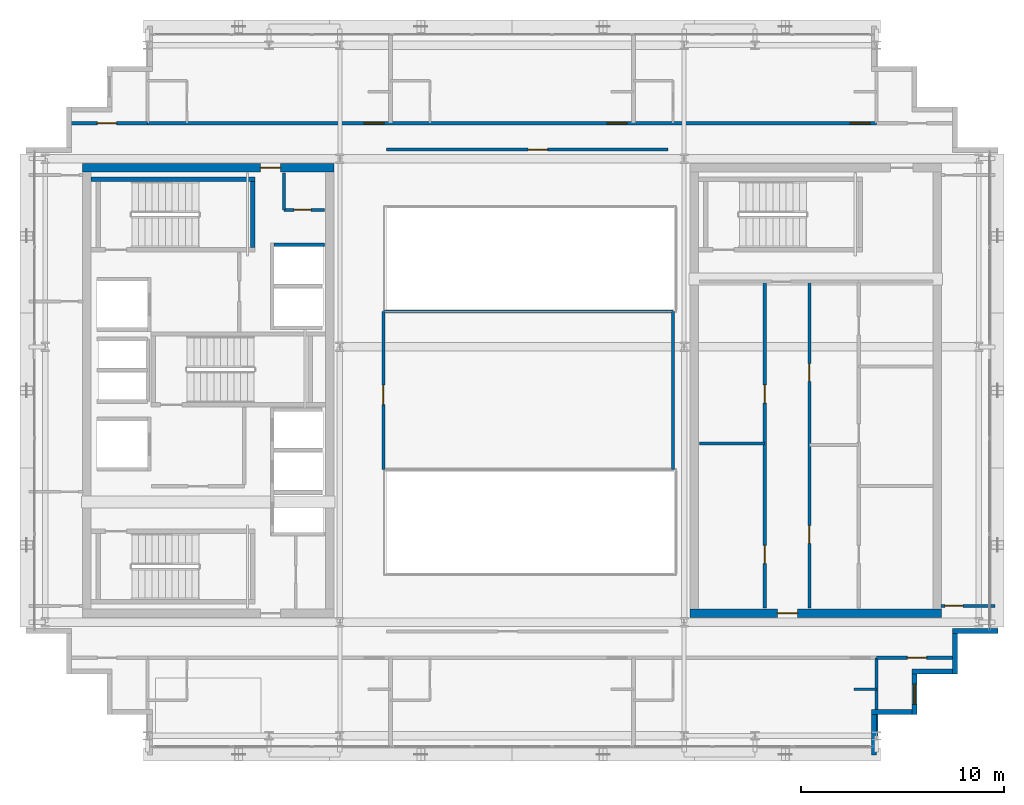
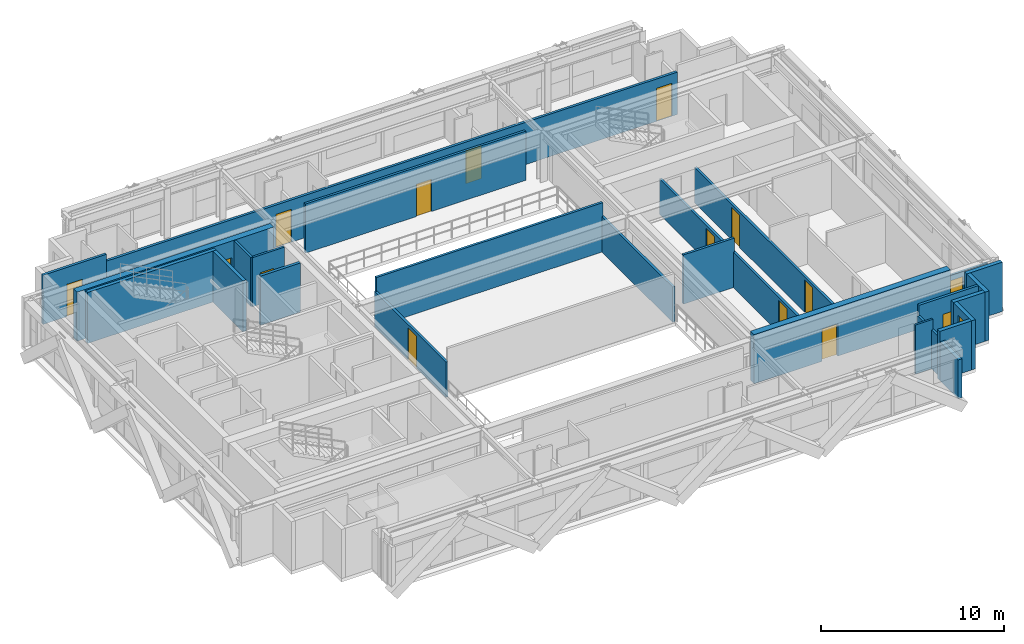
# One storey, part 22 of 28: 26 walls, 15 doors, 1 window, 16 openings.
"""IFC4 building model written with IfcOpenShell, lengths in metres."""

import ifcopenshell
import ifcopenshell.guid

model = None  # the IFC model being written
_history = None  # IfcOwnerHistory: only IFC2X3 demands one
_inside = {}  # id of a spatial element -> (the spatial element, [elements in it])
_under = {}  # id of a project, library or spatial element -> (it, [spatial elements below it])
_declared = {}  # id of a project -> (the project, [libraries it declares])
_typed = {}  # id of a type object -> (the type object, [elements of that type])
_made_of = {}  # id of a material, layer set ... -> (it, [elements and type objects made of it])


def new_model(schema):
    """Start an empty IFC model of exactly this schema.

    Asked for "IFC4X3", IfcOpenShell would pick the latest addendum, in which some entities
    have other attributes; the version numbers below select the first issue.
    IFC2X3 requires an IfcOwnerHistory on every rooted entity: one is made here for all.
    """
    global model, _history
    if schema == "IFC4X3":
        model = ifcopenshell.file(schema_version=(4, 3, 0, 0))
    else:
        model = ifcopenshell.file(schema=schema)
    _inside.clear()
    _under.clear()
    _declared.clear()
    _typed.clear()
    _made_of.clear()
    _history = None
    if model.schema == "IFC2X3":
        org = make("IfcOrganization", Name="unknown")
        user = make(
            "IfcPersonAndOrganization",
            ThePerson=make("IfcPerson", FamilyName="unknown"),
            TheOrganization=org,
        )
        app = make(
            "IfcApplication",
            ApplicationDeveloper=org,
            Version="unknown",
            ApplicationFullName="unknown",
            ApplicationIdentifier="unknown",
        )
        _history = make(
            "IfcOwnerHistory",
            OwningUser=user,
            OwningApplication=app,
            ChangeAction="ADDED",
            CreationDate=0,
        )
    return model


def make(cls, **values):
    """One entity of the class cls with the attributes given. An attribute that is None is left unset."""
    return model.create_entity(
        cls, **{name: value for name, value in values.items() if value is not None}
    )


def rooted(cls, **values):
    """An entity with a GlobalId (a new one), such as an element, a storey or a relation."""
    return make(cls, GlobalId=ifcopenshell.guid.new(), OwnerHistory=_history, **values)


def si_unit(unit_type, name, prefix=None):
    """IfcSIUnit, for example si_unit("LENGTHUNIT", "METRE", prefix="MILLI")."""
    return make("IfcSIUnit", UnitType=unit_type, Prefix=prefix, Name=name)


def assignment(units):
    """IfcUnitAssignment: the units of a project."""
    return None if units is None else make("IfcUnitAssignment", Units=units)


def point(xyz):
    """IfcCartesianPoint."""
    return None if xyz is None else make("IfcCartesianPoint", Coordinates=xyz)


def direction(xyz):
    """IfcDirection."""
    return None if xyz is None else make("IfcDirection", DirectionRatios=xyz)


def frame(location, z_axis=None, x_axis=None):
    """IfcAxis2Placement3D, a coordinate frame: its origin and axes. An axis left out is left unset."""
    return make(
        "IfcAxis2Placement3D",
        Location=point(location),
        Axis=direction(z_axis),
        RefDirection=direction(x_axis),
    )


def frame_2d(location, x_axis=None):
    """IfcAxis2Placement2D, a coordinate frame in the plane: its origin and x axis."""
    return make(
        "IfcAxis2Placement2D", Location=point(location), RefDirection=direction(x_axis)
    )


def origin():
    """The frame at (0, 0, 0) with its axes left unset."""
    return frame((0.0, 0.0, 0.0))


def place(relative_to, where):
    """IfcLocalPlacement: puts the frame where relative to a parent placement (None: the world)."""
    return make(
        "IfcLocalPlacement", PlacementRelTo=relative_to, RelativePlacement=where
    )


def context(
    kind, dimensions, precision=None, world=None, true_north=None, identifier=None
):
    """IfcGeometricRepresentationContext, for example the 3D "Model" context."""
    return make(
        "IfcGeometricRepresentationContext",
        ContextIdentifier=identifier,
        ContextType=kind,
        CoordinateSpaceDimension=dimensions,
        Precision=precision,
        WorldCoordinateSystem=world,
        TrueNorth=true_north,
    )


def subcontext(parent, identifier, kind, view, scale=None):
    """IfcGeometricRepresentationSubContext, for example "Body" below "Model"."""
    return make(
        "IfcGeometricRepresentationSubContext",
        ContextIdentifier=identifier,
        ContextType=kind,
        ParentContext=parent,
        TargetScale=scale,
        TargetView=view,
    )


def project(units=None, contexts=None):
    """IfcProject with its units and contexts."""
    return rooted(
        "IfcProject",
        Name="project",
        RepresentationContexts=contexts,
        UnitsInContext=assignment(units),
    )


def spatial(cls, under=None, at=None, **own):
    """A site, building, storey or space (cls), placed at a placement, below another one or the project."""
    s = rooted(cls, ObjectPlacement=at, **own)
    if under is not None:
        _under.setdefault(under.id(), (under, []))[1].append(s)
    return s


def profile(cls, at=None, kind="AREA", **sizes):
    """A parametric profile (cls). Its sizes go by their IFC names, for example OverallWidth=200.0."""
    return make(cls, ProfileType=kind, Position=at, **sizes)


def rectangle(**sizes):
    """IfcRectangleProfileDef."""
    return profile("IfcRectangleProfileDef", **sizes)


def extrude(swept, where, along, depth):
    """IfcExtrudedAreaSolid: the profile swept, set in the frame where, extruded along a direction by depth."""
    return make(
        "IfcExtrudedAreaSolid",
        SweptArea=swept,
        Position=where,
        ExtrudedDirection=direction(along),
        Depth=depth,
    )


def shape(context_of_items, identifier, shape_type, items):
    """IfcShapeRepresentation: the items that make up one representation, for example the "Body"."""
    return make(
        "IfcShapeRepresentation",
        ContextOfItems=context_of_items,
        RepresentationIdentifier=identifier,
        RepresentationType=shape_type,
        Items=items,
    )


def source(mapping_origin, context_of_items, identifier, shape_type, items):
    """IfcRepresentationMap: a shape defined once, which mapped items show again and again."""
    return make(
        "IfcRepresentationMap",
        MappingOrigin=mapping_origin,
        MappedRepresentation=shape(context_of_items, identifier, shape_type, items),
    )


def transform(
    local_origin,
    x_axis=None,
    y_axis=None,
    z_axis=None,
    scale=None,
    scale2=None,
    scale3=None,
    uniform=True,
):
    """IfcCartesianTransformationOperator3D, or its non-uniform kind. x_axis, y_axis, z_axis: its Axis1, 2, 3."""
    if uniform:
        return make(
            "IfcCartesianTransformationOperator3D",
            Axis1=direction(x_axis),
            Axis2=direction(y_axis),
            LocalOrigin=point(local_origin),
            Scale=scale,
            Axis3=direction(z_axis),
        )
    return make(
        "IfcCartesianTransformationOperator3DnonUniform",
        Axis1=direction(x_axis),
        Axis2=direction(y_axis),
        LocalOrigin=point(local_origin),
        Scale=scale,
        Axis3=direction(z_axis),
        Scale2=scale2,
        Scale3=scale3,
    )


def mapped(mapping_source, mapping_target):
    """IfcMappedItem: shows the shape of a source again, moved by a transform."""
    return make(
        "IfcMappedItem", MappingSource=mapping_source, MappingTarget=mapping_target
    )


def material(Name=None, Category=None):
    """IfcMaterial."""
    return make("IfcMaterial", Name=Name, Category=Category)


def layer(
    of_material, thickness, ventilated=None, Name=None, Category=None, Priority=None
):
    """IfcMaterialLayer: one layer of a wall or slab, of a material (None: an air gap)."""
    return make(
        "IfcMaterialLayer",
        Material=of_material,
        LayerThickness=thickness,
        IsVentilated=ventilated,
        Name=Name,
        Category=Category,
        Priority=Priority,
    )


def layer_set(layers, Name=None):
    """IfcMaterialLayerSet."""
    return make("IfcMaterialLayerSet", MaterialLayers=layers, LayerSetName=Name)


def made_of(thing, what):
    """Note that an element or type object is made of a material, layer set ...; save() writes the relation."""
    if what is not None:
        _made_of.setdefault(what.id(), (what, []))[1].append(thing)
    return thing


def type_object(cls, material=None, **own):
    """A type object (cls), such as IfcWallType, which elements share."""
    return made_of(rooted(cls, **own), material)


def element(
    cls,
    number,
    at=None,
    inside=None,
    cuts=None,
    type_object=None,
    material=None,
    context=None,
    identifier="Body",
    shape_type=None,
    held_by="IfcProductDefinitionShape",
    body=None,
    shapes=None,
    **own,
):
    """One element of the class cls, such as IfcWall. Its Tag is "e" and its number.

    at: its placement. inside: the storey or other place that contains it. cuts: it is an
    opening in that element (IfcRelVoidsElement). A single representation is given by context,
    identifier, shape_type and body (its items); several are given by shapes. held_by: the class
    of the entity that holds the representations. save() writes the other relations.
    """
    e = rooted(cls, Tag="e%d" % number, ObjectPlacement=at, **own)
    if body is not None:
        shapes = [shape(context, identifier, shape_type, body)]
    if shapes is not None:
        e.Representation = make(held_by, Representations=shapes)
    if inside is not None:
        _inside.setdefault(inside.id(), (inside, []))[1].append(e)
    if cuts is not None:
        rooted(
            "IfcRelVoidsElement", RelatingBuildingElement=cuts, RelatedOpeningElement=e
        )
    if type_object is not None:
        _typed.setdefault(type_object.id(), (type_object, []))[1].append(e)
    return made_of(e, material)


def fill(opening, filler):
    """IfcRelFillsElement: the door or window that sits in an opening."""
    return rooted(
        "IfcRelFillsElement",
        RelatingOpeningElement=opening,
        RelatedBuildingElement=filler,
    )


def aggregate(whole, parts):
    """IfcRelAggregates: a whole, such as a stair, and the parts it consists of."""
    return rooted("IfcRelAggregates", RelatingObject=whole, RelatedObjects=parts)


def save(model, path):
    """Write the relations noted so far, then the file.

    IfcRelAggregates (storeys below a building ...), IfcRelContainedInSpatialStructure (elements
    in a storey), IfcRelDefinesByType, IfcRelAssociatesMaterial and IfcRelDeclares: one each for
    every whole, place, type object, material and project.
    """
    for whole, parts in _under.values():
        aggregate(whole, parts)
    for where, things in _inside.values():
        rooted(
            "IfcRelContainedInSpatialStructure",
            RelatedElements=things,
            RelatingStructure=where,
        )
    for kind, things in _typed.values():
        rooted("IfcRelDefinesByType", RelatedObjects=things, RelatingType=kind)
    for what, things in _made_of.values():
        rooted("IfcRelAssociatesMaterial", RelatedObjects=things, RelatingMaterial=what)
    for by, libraries in _declared.values():
        rooted("IfcRelDeclares", RelatingContext=by, RelatedDefinitions=libraries)
    model.write(path)


model = new_model("IFC4")

# Units and contexts
model_context = context("Model", 3, precision=1e-05, world=origin(), true_north=direction((0.0, 1.0)))
body_context = subcontext(model_context, "Body", "Model", "MODEL_VIEW")
ifc_project = project(units=[si_unit("LENGTHUNIT", "METRE"), si_unit("AREAUNIT", "SQUARE_METRE"), si_unit("VOLUMEUNIT", "CUBIC_METRE"), si_unit("PLANEANGLEUNIT", "RADIAN"), si_unit("MASSUNIT", "GRAM", prefix="KILO")], contexts=[model_context])

# Site, building, storey
site_placement = place(None, origin())
site = spatial("IfcSite", under=ifc_project, at=site_placement, CompositionType="ELEMENT")
building_placement = place(site_placement, origin())
building = spatial("IfcBuilding", under=site, at=building_placement, Name="Ocotamira Hotel", CompositionType="ELEMENT")
storey_placement = place(building_placement, frame((0.0, 0.0, 243.60009765625)))
storey = spatial("IfcBuildingStorey", under=building, at=storey_placement, Name="L61", CompositionType="ELEMENT", Elevation=243.60009765625)

# Wall, opening, door
ifc_material_1 = material(Name="Concrete C50/60", Category="concrete")
ifc_layer_1 = layer(ifc_material_1, 0.39990234375)
ifc_layer_set_1 = layer_set([ifc_layer_1], Name="Concrete C50/60")
wall_type_1 = type_object("IfcWallType", Name="WL-CORE-400", PredefinedType="SHEAR", material=ifc_layer_set_1)
wall_1_placement = place(storey_placement, frame((10.800048828125, 37.0, 0.0), z_axis=(0.0, 0.0, 1.0), x_axis=(1.0, 0.0, 0.0)))
wall_1 = element("IfcWall", 1, at=wall_1_placement, inside=storey, type_object=wall_type_1, Name="L61 Shear Core Wall WCORE-N", PredefinedType="SHEAR", context=body_context, shape_type="SweptSolid", body=[
    extrude(rectangle(XDim=12.39990234375, YDim=0.39990234375, at=frame_2d((6.199951171875, 0.0))), origin(), (0.0, 0.0, 1.0), 3.27978515625),
])
opening_1_placement = place(wall_1_placement, frame((8.780029296875, 0.0, 0.0)))
opening_1 = element("IfcOpeningElement", 2, at=opening_1_placement, cuts=wall_1, Name="Opening D-FR2", PredefinedType="OPENING", context=body_context, shape_type="SweptSolid", body=[
    extrude(rectangle(XDim=1.0, YDim=2.14990234375, at=frame_2d((0.5, 1.074951171875))), frame((0.0, 0.2099609375, 0.0), z_axis=(0.0, -1.0, 0.0), x_axis=(1.0, 0.0, 0.0)), (0.0, 0.0, 1.0), 0.419921875),
])
ifc_material_2 = material(Name="Fire-rated acoustic timber-veneer door", Category="wood")
door_type_1 = type_object("IfcDoorType", Name="DR-FIRE-1000", OperationType="NOTDEFINED", PredefinedType="DOOR", material=ifc_material_2)
shared_shape_1 = source(origin(), body_context, "Body", "SweptSolid", [
    extrude(rectangle(XDim=1.0, YDim=2.14990234375, at=frame_2d((0.5, 1.074951171875))), frame((0.0, 0.02490234375, 0.0), z_axis=(0.0, -1.0, 0.0), x_axis=(1.0, 0.0, 0.0)), (0.0, 0.0, 1.0), 0.050048828125),
])
door_1_placement = place(opening_1_placement, origin())
door_1 = element("IfcDoor", 3, at=door_1_placement, inside=storey, type_object=door_type_1, Name="L61 Door ID-L61-WLOB-N-D [ID-L61-WLOB-N-D]", OperationType="SINGLE_SWING_RIGHT", OverallHeight=2.14990234375, OverallWidth=1.0, PredefinedType="DOOR", context=body_context, shape_type="MappedRepresentation", body=[
    mapped(shared_shape_1, transform((0.0, 0.0, 0.0), scale=1.0)),
])
fill(opening_1, door_1)

wall_2_placement = place(storey_placement, frame((40.800048828125, 15.0, 0.0), z_axis=(0.0, 0.0, 1.0), x_axis=(1.0, 0.0, 0.0)))
wall_2 = element("IfcWall", 4, at=wall_2_placement, inside=storey, type_object=wall_type_1, Name="L61 Shear Core Wall ECORE-S", PredefinedType="SHEAR", context=body_context, shape_type="SweptSolid", body=[
    extrude(rectangle(XDim=12.39990234375, YDim=0.39990234375, at=frame_2d((6.199951171875, 0.0))), origin(), (0.0, 0.0, 1.0), 3.27978515625),
])
opening_2_placement = place(wall_2_placement, frame((4.300048828125, 0.0, 0.0)))
opening_2 = element("IfcOpeningElement", 5, at=opening_2_placement, cuts=wall_2, Name="Opening D-FR2", PredefinedType="OPENING", context=body_context, shape_type="SweptSolid", body=[
    extrude(rectangle(XDim=1.0, YDim=2.14990234375, at=frame_2d((0.5, 1.074951171875))), frame((0.0, 0.2099609375, 0.0), z_axis=(0.0, -1.0, 0.0), x_axis=(1.0, 0.0, 0.0)), (0.0, 0.0, 1.0), 0.419921875),
])
door_2_placement = place(opening_2_placement, origin())
door_2 = element("IfcDoor", 6, at=door_2_placement, inside=storey, type_object=door_type_1, Name="L61 Door ID-L61-ELOB-S-D [ID-L61-ELOB-S-D]", OperationType="SINGLE_SWING_RIGHT", OverallHeight=2.14990234375, OverallWidth=1.0, PredefinedType="DOOR", context=body_context, shape_type="MappedRepresentation", body=[
    mapped(shared_shape_1, transform((0.0, 0.0, 0.0), scale=1.0)),
])
fill(opening_2, door_2)

# Walls
ifc_material_3 = material(Name="Precast concrete C45/55", Category="concrete")
ifc_layer_2 = layer(ifc_material_3, 0.25)
ifc_layer_set_2 = layer_set([ifc_layer_2], Name="Precast concrete C45/55")
wall_type_2 = type_object("IfcWallType", Name="WL-EXT-SER-250", PredefinedType="SOLIDWALL", material=ifc_layer_set_2)
wall_3_placement = place(storey_placement, frame((49.875, 8.0, 0.0), z_axis=(0.0, 0.0, 1.0), x_axis=(0.0, 1.0, 0.0)))
element("IfcWall", 7, at=wall_3_placement, inside=storey, type_object=wall_type_2, Name="L61 Serrated Corner Wall 01", PredefinedType="SOLIDWALL", context=body_context, shape_type="SweptSolid", body=[
    extrude(rectangle(XDim=2.0, YDim=0.25, at=frame_2d((1.0, 0.0))), origin(), (0.0, 0.0, 1.0), 2.5869140625),
])
wall_4_placement = place(storey_placement, frame((49.75, 10.125, 0.0), z_axis=(0.0, 0.0, 1.0), x_axis=(1.0, 0.0, 0.0)))
element("IfcWall", 8, at=wall_4_placement, inside=storey, type_object=wall_type_2, Name="L61 Serrated Corner Wall 02", PredefinedType="SOLIDWALL", context=body_context, shape_type="SweptSolid", body=[
    extrude(rectangle(XDim=2.0, YDim=0.25, at=frame_2d((1.0, 0.0))), origin(), (0.0, 0.0, 1.0), 3.27978515625),
])

# Wall, opening, window
wall_5_placement = place(storey_placement, frame((51.875, 10.0, 0.0), z_axis=(0.0, 0.0, 1.0), x_axis=(0.0, 1.0, 0.0)))
wall_5 = element("IfcWall", 9, at=wall_5_placement, inside=storey, type_object=wall_type_2, Name="L61 Serrated Corner Wall 03", PredefinedType="SOLIDWALL", context=body_context, shape_type="SweptSolid", body=[
    extrude(rectangle(XDim=2.0, YDim=0.25, at=frame_2d((1.0, 0.0))), origin(), (0.0, 0.0, 1.0), 3.27978515625),
])
opening_3_placement = place(wall_5_placement, frame((0.5, 0.0, 0.85009765625)))
opening_3 = element("IfcOpeningElement", 10, at=opening_3_placement, cuts=wall_5, Name="Opening WN-2", PredefinedType="OPENING", context=body_context, shape_type="SweptSolid", body=[
    extrude(rectangle(XDim=1.0, YDim=1.89990234375, at=frame_2d((0.5, 0.949951171875))), frame((0.0, 0.135009765625, 0.0), z_axis=(0.0, -1.0, 0.0), x_axis=(1.0, 0.0, 0.0)), (0.0, 0.0, 1.0), 0.27001953125),
])
ifc_material_4 = material(Name="Double-silver low-E solar glass", Category="glass")
window_type = type_object("IfcWindowType", Name="WIN-SER-1100", PartitioningType="SINGLE_PANEL", PredefinedType="WINDOW", material=ifc_material_4)
shared_shape_2 = source(origin(), body_context, "Body", "SweptSolid", [
    extrude(rectangle(XDim=1.0, YDim=1.89990234375, at=frame_2d((0.5, 0.949951171875))), frame((0.0, 0.030029296875, 0.0), z_axis=(0.0, -1.0, 0.0), x_axis=(1.0, 0.0, 0.0)), (0.0, 0.0, 1.0), 0.06005859375),
])
window_placement = place(opening_3_placement, origin())
window = element("IfcWindow", 11, at=window_placement, inside=storey, type_object=window_type, Name="L61 Serrated Corner Window 03", OverallHeight=1.89990234375, OverallWidth=1.0, PartitioningType="SINGLE_PANEL", PredefinedType="WINDOW", context=body_context, shape_type="MappedRepresentation", body=[
    mapped(shared_shape_2, transform((0.0, 0.0, 0.0), scale=1.0)),
])
fill(opening_3, window)

# Walls
for number, where, z_axis, x_axis, name in (
    (12, (51.75, 12.125, 0.0), (0.0, 0.0, 1.0), (1.0, 0.0, 0.0), "L61 Serrated Corner Wall 04"),
    (13, (53.875, 12.0, 0.0), (0.0, 0.0, 1.0), (0.0, 1.0, 0.0), "L61 Serrated Corner Wall 05"),
):
    element("IfcWall", number, at=place(storey_placement, frame(where, z_axis=z_axis, x_axis=x_axis)), inside=storey, type_object=wall_type_2, Name=name, PredefinedType="SOLIDWALL", context=body_context, shape_type="SweptSolid", body=[
        extrude(rectangle(XDim=2.0, YDim=0.25, at=frame_2d((1.0, 0.0))), origin(), (0.0, 0.0, 1.0), 3.27978515625),
    ])
wall_6_placement = place(storey_placement, frame((53.75, 14.125, 0.0), z_axis=(0.0, 0.0, 1.0), x_axis=(1.0, 0.0, 0.0)))
element("IfcWall", 14, at=wall_6_placement, inside=storey, type_object=wall_type_2, Name="L61 Serrated Corner Wall 06", PredefinedType="SOLIDWALL", context=body_context, shape_type="SweptSolid", body=[
    extrude(rectangle(XDim=2.25, YDim=0.25, at=frame_2d((1.125, 0.0))), origin(), (0.0, 0.0, 1.0), 3.27978515625),
])

# Wall, openings, doors
ifc_material_5 = material(Name="Acoustic double-layer fire gypsum board partition", Category="gypsum")
ifc_layer_3 = layer(ifc_material_5, 0.159912109375)
ifc_layer_set_3 = layer_set([ifc_layer_3], Name="Acoustic double-layer fire gypsum board partition")
wall_type_3 = type_object("IfcWallType", Name="WL-FIRE-160", PredefinedType="PARTITIONING", material=ifc_layer_set_3)
wall_7_placement = place(storey_placement, frame((14.0, 39.199951171875, 0.0), z_axis=(0.0, 0.0, 1.0), x_axis=(1.0, 0.0, 0.0)))
wall_7 = element("IfcWall", 15, at=wall_7_placement, inside=storey, type_object=wall_type_3, Name="L61 Interior Wall PW-L61-Z4CN-CORRW", PredefinedType="PARTITIONING", context=body_context, shape_type="SweptSolid", body=[
    extrude(rectangle(XDim=36.0, YDim=0.159912109375, at=frame_2d((18.0, 0.0))), origin(), (0.0, 0.0, 1.0), 2.822998046875),
])
opening_4_placement = place(wall_7_placement, frame((10.699951171875, 0.0, 0.0)))
opening_4 = element("IfcOpeningElement", 16, at=opening_4_placement, cuts=wall_7, Name="Opening D-GR2", PredefinedType="OPENING", context=body_context, shape_type="SweptSolid", body=[
    extrude(rectangle(XDim=0.97998046875, YDim=2.199951171875, at=frame_2d((0.489990234375, 1.10009765625))), frame((0.0, 0.08984375, 0.0), z_axis=(0.0, -1.0, 0.0), x_axis=(1.0, 0.0, 0.0)), (0.0, 0.0, 1.0), 0.179931640625),
])
opening_5_placement = place(wall_7_placement, frame((22.699951171875, 0.0, 0.0)))
opening_5 = element("IfcOpeningElement", 17, at=opening_5_placement, cuts=wall_7, Name="Opening D-GR2", PredefinedType="OPENING", context=body_context, shape_type="SweptSolid", body=[
    extrude(rectangle(XDim=0.97998046875, YDim=2.199951171875, at=frame_2d((0.489990234375, 1.10009765625))), frame((0.0, 0.08984375, 0.0), z_axis=(0.0, -1.0, 0.0), x_axis=(1.0, 0.0, 0.0)), (0.0, 0.0, 1.0), 0.179931640625),
])
opening_6_placement = place(wall_7_placement, frame((34.699951171875, 0.0, 0.0)))
opening_6 = element("IfcOpeningElement", 18, at=opening_6_placement, cuts=wall_7, Name="Opening D-GR2", PredefinedType="OPENING", context=body_context, shape_type="SweptSolid", body=[
    extrude(rectangle(XDim=0.97998046875, YDim=2.199951171875, at=frame_2d((0.489990234375, 1.10009765625))), frame((0.0, 0.08984375, 0.0), z_axis=(0.0, -1.0, 0.0), x_axis=(1.0, 0.0, 0.0)), (0.0, 0.0, 1.0), 0.179931640625),
])
ifc_material_6 = material(Name="Solid-core walnut grand-suite entrance fire door", Category="wood")
door_type_2 = type_object("IfcDoorType", Name="DR-GUEST-980", OperationType="NOTDEFINED", PredefinedType="DOOR", material=ifc_material_6)
shared_shape_3 = source(origin(), body_context, "Body", "SweptSolid", [
    extrude(rectangle(XDim=0.97998046875, YDim=2.199951171875, at=frame_2d((0.489990234375, 1.10009765625))), frame((0.0, 0.02490234375, 0.0), z_axis=(0.0, -1.0, 0.0), x_axis=(1.0, 0.0, 0.0)), (0.0, 0.0, 1.0), 0.050048828125),
])
door_3_placement = place(opening_4_placement, origin())
door_3 = element("IfcDoor", 19, at=door_3_placement, inside=storey, type_object=door_type_2, Name="L61 Door ID-L61-Z4CN-RMD1 [ID-L61-Z4CN-RMD1]", OperationType="SINGLE_SWING_LEFT", OverallHeight=2.199951171875, OverallWidth=0.97998046875, PredefinedType="DOOR", context=body_context, shape_type="MappedRepresentation", body=[
    mapped(shared_shape_3, transform((0.0, 0.0, 0.0), scale=1.0)),
])
fill(opening_4, door_3)
door_4_placement = place(opening_5_placement, origin())
door_4 = element("IfcDoor", 20, at=door_4_placement, inside=storey, type_object=door_type_2, Name="L61 Door ID-L61-Z4CN-RMD2 [ID-L61-Z4CN-RMD2]", OperationType="SINGLE_SWING_RIGHT", OverallHeight=2.199951171875, OverallWidth=0.97998046875, PredefinedType="DOOR", context=body_context, shape_type="MappedRepresentation", body=[
    mapped(shared_shape_3, transform((0.0, 0.0, 0.0), scale=1.0)),
])
fill(opening_5, door_4)
door_5_placement = place(opening_6_placement, origin())
door_5 = element("IfcDoor", 21, at=door_5_placement, inside=storey, type_object=door_type_2, Name="L61 Door ID-L61-Z4CN-RMD3 [ID-L61-Z4CN-RMD3]", OperationType="SINGLE_SWING_LEFT", OverallHeight=2.199951171875, OverallWidth=0.97998046875, PredefinedType="DOOR", context=body_context, shape_type="MappedRepresentation", body=[
    mapped(shared_shape_3, transform((0.0, 0.0, 0.0), scale=1.0)),
])
fill(opening_6, door_5)

# Wall, opening, door
wall_8_placement = place(storey_placement, frame((50.0, 12.800048828125, 0.0), z_axis=(0.0, 0.0, 1.0), x_axis=(1.0, 0.0, 0.0)))
wall_8 = element("IfcWall", 22, at=wall_8_placement, inside=storey, type_object=wall_type_3, Name="L61 Interior Wall PW-L61-Z4CSE-CW", PredefinedType="PARTITIONING", context=body_context, shape_type="SweptSolid", body=[
    extrude(rectangle(XDim=4.0, YDim=0.159912109375, at=frame_2d((2.0, 0.0))), origin(), (0.0, 0.0, 1.0), 3.27978515625),
])
opening_7_placement = place(wall_8_placement, frame((1.52001953125, 0.0, 0.0)))
opening_7 = element("IfcOpeningElement", 23, at=opening_7_placement, cuts=wall_8, Name="Opening D-SV4", PredefinedType="OPENING", context=body_context, shape_type="SweptSolid", body=[
    extrude(rectangle(XDim=0.9599609375, YDim=2.14990234375, at=frame_2d((0.47998046875, 1.074951171875))), frame((0.0, 0.08984375, 0.0), z_axis=(0.0, -1.0, 0.0), x_axis=(1.0, 0.0, 0.0)), (0.0, 0.0, 1.0), 0.179931640625),
])
ifc_material_7 = material(Name="Fire-rated accessible walnut salon door", Category="wood")
door_type_3 = type_object("IfcDoorType", Name="DR-SERV-960", OperationType="NOTDEFINED", PredefinedType="DOOR", material=ifc_material_7)
shared_shape_4 = source(origin(), body_context, "Body", "SweptSolid", [
    extrude(rectangle(XDim=0.9599609375, YDim=2.14990234375, at=frame_2d((0.47998046875, 1.074951171875))), frame((0.0, 0.02490234375, 0.0), z_axis=(0.0, -1.0, 0.0), x_axis=(1.0, 0.0, 0.0)), (0.0, 0.0, 1.0), 0.050048828125),
])
door_6_placement = place(opening_7_placement, origin())
door_6 = element("IfcDoor", 24, at=door_6_placement, inside=storey, type_object=door_type_3, Name="L61 Door ID-L61-Z4CSE-CD [ID-L61-Z4CSE-CD]", OperationType="SINGLE_SWING_LEFT", OverallHeight=2.14990234375, OverallWidth=0.9599609375, PredefinedType="DOOR", context=body_context, shape_type="MappedRepresentation", body=[
    mapped(shared_shape_4, transform((0.0, 0.0, 0.0), scale=1.0)),
])
fill(opening_7, door_6)

wall_9_placement = place(storey_placement, frame((10.0, 39.199951171875, 0.0), z_axis=(0.0, 0.0, 1.0), x_axis=(1.0, 0.0, 0.0)))
wall_9 = element("IfcWall", 25, at=wall_9_placement, inside=storey, type_object=wall_type_3, Name="L61 Interior Wall PW-L61-Z4CNW-CW", PredefinedType="PARTITIONING", context=body_context, shape_type="SweptSolid", body=[
    extrude(rectangle(XDim=4.0, YDim=0.159912109375, at=frame_2d((2.0, 0.0))), origin(), (0.0, 0.0, 1.0), 3.27978515625),
])
opening_8_placement = place(wall_9_placement, frame((1.52001953125, 0.0, 0.0)))
opening_8 = element("IfcOpeningElement", 26, at=opening_8_placement, cuts=wall_9, Name="Opening D-SV4", PredefinedType="OPENING", context=body_context, shape_type="SweptSolid", body=[
    extrude(rectangle(XDim=0.9599609375, YDim=2.14990234375, at=frame_2d((0.47998046875, 1.074951171875))), frame((0.0, 0.08984375, 0.0), z_axis=(0.0, -1.0, 0.0), x_axis=(1.0, 0.0, 0.0)), (0.0, 0.0, 1.0), 0.179931640625),
])
door_7_placement = place(opening_8_placement, origin())
door_7 = element("IfcDoor", 27, at=door_7_placement, inside=storey, type_object=door_type_3, Name="L61 Door ID-L61-Z4CNW-CD [ID-L61-Z4CNW-CD]", OperationType="SINGLE_SWING_LEFT", OverallHeight=2.14990234375, OverallWidth=0.9599609375, PredefinedType="DOOR", context=body_context, shape_type="MappedRepresentation", body=[
    mapped(shared_shape_4, transform((0.0, 0.0, 0.0), scale=1.0)),
])
fill(opening_8, door_7)

# Walls
ifc_material_8 = material(Name="Moisture-resistant en-suite tile and gypsum partition", Category="gypsum")
ifc_layer_4 = layer(ifc_material_8, 0.1201171875)
ifc_layer_set_4 = layer_set([ifc_layer_4], Name="Moisture-resistant en-suite tile and gypsum partition")
wall_type_4 = type_object("IfcWallType", Name="WL-PART-120", PredefinedType="PARTITIONING", material=ifc_layer_set_4)
wall_10_placement = place(storey_placement, frame((48.89990234375, 11.25, 0.0), z_axis=(0.0, 0.0, 1.0), x_axis=(1.0, 0.0, 0.0)))
element("IfcWall", 28, at=wall_10_placement, inside=storey, type_object=wall_type_4, Name="L61 Interior Wall PW-L61-Z4CS-DRN3", PredefinedType="PARTITIONING", context=body_context, shape_type="SweptSolid", body=[
    extrude(rectangle(XDim=1.10009765625, YDim=0.1201171875, at=frame_2d((0.550048828125, 0.0))), origin(), (0.0, 0.0, 1.0), 3.27978515625),
])
ifc_material_9 = material(Name="Acoustic hospitality gypsum board partition", Category="gypsum")
ifc_layer_5 = layer(ifc_material_9, 0.14208984375)
ifc_layer_set_5 = layer_set([ifc_layer_5], Name="Acoustic hospitality gypsum board partition")
wall_type_5 = type_object("IfcWallType", Name="WL-PART-142", PredefinedType="PARTITIONING", material=ifc_layer_set_5)
wall_11_placement = place(storey_placement, frame((20.739990234375, 34.919921875, 0.0), z_axis=(0.0, 0.0, 1.0), x_axis=(0.0, 1.0, 0.0)))
element("IfcWall", 29, at=wall_11_placement, inside=storey, type_object=wall_type_5, Name="L61 Interior Wall PW-L61-WC-NE-W1", PredefinedType="PARTITIONING", context=body_context, shape_type="SweptSolid", body=[
    extrude(rectangle(XDim=1.830078125, YDim=0.14208984375, at=frame_2d((0.9150390625, 0.0))), origin(), (0.0, 0.0, 1.0), 3.27978515625),
])

# Wall, opening, door
wall_12_placement = place(storey_placement, frame((20.739990234375, 34.919921875, 0.0), z_axis=(0.0, 0.0, 1.0), x_axis=(1.0, 0.0, 0.0)))
wall_12 = element("IfcWall", 30, at=wall_12_placement, inside=storey, type_object=wall_type_5, Name="L61 Interior Wall PW-L61-WC-NE-S1", PredefinedType="PARTITIONING", context=body_context, shape_type="SweptSolid", body=[
    extrude(rectangle(XDim=2.010009765625, YDim=0.14208984375, at=frame_2d((1.0048828125, 0.0))), origin(), (0.0, 0.0, 1.0), 3.27978515625),
])
opening_9_placement = place(wall_12_placement, frame((0.5, 0.0, 0.0)))
opening_9 = element("IfcOpeningElement", 31, at=opening_9_placement, cuts=wall_12, Name="Opening D-SV1", PredefinedType="OPENING", context=body_context, shape_type="SweptSolid", body=[
    extrude(rectangle(XDim=0.840087890625, YDim=2.10009765625, at=frame_2d((0.419921875, 1.050048828125))), frame((0.0, 0.0810546875, 0.0), z_axis=(0.0, -1.0, 0.0), x_axis=(1.0, 0.0, 0.0)), (0.0, 0.0, 1.0), 0.162109375),
])
ifc_material_10 = material(Name="Fire-rated painted steel service door", Category="steel")
door_type_4 = type_object("IfcDoorType", Name="DR-SERV-840", OperationType="NOTDEFINED", PredefinedType="DOOR", material=ifc_material_10)
shared_shape_5 = source(origin(), body_context, "Body", "SweptSolid", [
    extrude(rectangle(XDim=0.840087890625, YDim=2.10009765625, at=frame_2d((0.419921875, 1.050048828125))), frame((0.0, 0.02490234375, 0.0), z_axis=(0.0, -1.0, 0.0), x_axis=(1.0, 0.0, 0.0)), (0.0, 0.0, 1.0), 0.050048828125),
])
door_8_placement = place(opening_9_placement, origin())
door_8 = element("IfcDoor", 32, at=door_8_placement, inside=storey, type_object=door_type_4, Name="L61 Door ID-L61-WC-NE-D1 [ID-L61-WC-NE-D1]", OperationType="SINGLE_SWING_LEFT", OverallHeight=2.10009765625, OverallWidth=0.840087890625, PredefinedType="DOOR", context=body_context, shape_type="MappedRepresentation", body=[
    mapped(shared_shape_5, transform((0.0, 0.0, 0.0), scale=1.0)),
])
fill(opening_9, door_8)

# Wall, openings, doors
ifc_layer_6 = layer(ifc_material_9, 0.14990234375)
ifc_layer_set_6 = layer_set([ifc_layer_6], Name="Acoustic hospitality gypsum board partition")
wall_type_6 = type_object("IfcWallType", Name="WL-PART-150", PredefinedType="PARTITIONING", material=ifc_layer_set_6)
wall_13_placement = place(storey_placement, frame((46.679931640625, 15.25, 0.0), z_axis=(0.0, 0.0, 1.0), x_axis=(0.0, 1.0, 0.0)))
wall_13 = element("IfcWall", 33, at=wall_13_placement, inside=storey, type_object=wall_type_6, Name="L61 Interior Wall PW-L61-EC-HMT-W", PredefinedType="PARTITIONING", context=body_context, shape_type="SweptSolid", body=[
    extrude(rectangle(XDim=16.1298828125, YDim=0.14990234375, at=frame_2d((8.06494140625, 0.0))), origin(), (0.0, 0.0, 1.0), 2.35986328125),
])
opening_10_placement = place(wall_13_placement, frame((3.199951171875, 0.0, 0.0)))
opening_10 = element("IfcOpeningElement", 34, at=opening_10_placement, cuts=wall_13, Name="Opening D-SV2", PredefinedType="OPENING", context=body_context, shape_type="SweptSolid", body=[
    extrude(rectangle(XDim=0.8798828125, YDim=2.14990234375, at=frame_2d((0.43994140625, 1.074951171875))), frame((0.0, 0.0849609375, 0.0), z_axis=(0.0, -1.0, 0.0), x_axis=(1.0, 0.0, 0.0)), (0.0, 0.0, 1.0), 0.169921875),
])
opening_11_placement = place(wall_13_placement, frame((11.199951171875, 0.0, 0.0)))
opening_11 = element("IfcOpeningElement", 35, at=opening_11_placement, cuts=wall_13, Name="Opening D-SV2", PredefinedType="OPENING", context=body_context, shape_type="SweptSolid", body=[
    extrude(rectangle(XDim=0.8798828125, YDim=2.14990234375, at=frame_2d((0.43994140625, 1.074951171875))), frame((0.0, 0.0849609375, 0.0), z_axis=(0.0, -1.0, 0.0), x_axis=(1.0, 0.0, 0.0)), (0.0, 0.0, 1.0), 0.169921875),
])
door_type_5 = type_object("IfcDoorType", Name="DR-SERV-880", OperationType="NOTDEFINED", PredefinedType="DOOR", material=ifc_material_10)
shared_shape_6 = source(origin(), body_context, "Body", "SweptSolid", [
    extrude(rectangle(XDim=0.8798828125, YDim=2.14990234375, at=frame_2d((0.43994140625, 1.074951171875))), frame((0.0, 0.02490234375, 0.0), z_axis=(0.0, -1.0, 0.0), x_axis=(1.0, 0.0, 0.0)), (0.0, 0.0, 1.0), 0.050048828125),
])
door_9_placement = place(opening_10_placement, origin())
door_9 = element("IfcDoor", 36, at=door_9_placement, inside=storey, type_object=door_type_5, Name="L61 Door ID-L61-EC-HMTD1 [ID-L61-EC-HMTD1]", OperationType="SINGLE_SWING_RIGHT", OverallHeight=2.14990234375, OverallWidth=0.8798828125, PredefinedType="DOOR", context=body_context, shape_type="MappedRepresentation", body=[
    mapped(shared_shape_6, transform((0.0, 0.0, 0.0), scale=1.0)),
])
fill(opening_10, door_9)
door_10_placement = place(opening_11_placement, origin())
door_10 = element("IfcDoor", 37, at=door_10_placement, inside=storey, type_object=door_type_5, Name="L61 Door ID-L61-EC-HMTD2 [ID-L61-EC-HMTD2]", OperationType="SINGLE_SWING_LEFT", OverallHeight=2.14990234375, OverallWidth=0.8798828125, PredefinedType="DOOR", context=body_context, shape_type="MappedRepresentation", body=[
    mapped(shared_shape_6, transform((0.0, 0.0, 0.0), scale=1.0)),
])
fill(opening_11, door_10)

# Wall
wall_14_placement = place(storey_placement, frame((41.25, 23.3798828125, 0.0), z_axis=(0.0, 0.0, 1.0), x_axis=(1.0, 0.0, 0.0)))
element("IfcWall", 38, at=wall_14_placement, inside=storey, type_object=wall_type_6, Name="L61 Interior Wall PW-L61-EC-FMID-DIV", PredefinedType="PARTITIONING", context=body_context, shape_type="SweptSolid", body=[
    extrude(rectangle(XDim=3.22998046875, YDim=0.14990234375, at=frame_2d((1.614990234375, 0.0))), origin(), (0.0, 0.0, 1.0), 3.27978515625),
])

# Wall, openings, doors
wall_15_placement = place(storey_placement, frame((44.47998046875, 15.25, 0.0), z_axis=(0.0, 0.0, 1.0), x_axis=(0.0, 1.0, 0.0)))
wall_15 = element("IfcWall", 39, at=wall_15_placement, inside=storey, type_object=wall_type_6, Name="L61 Interior Wall PW-L61-EC-FMID-E", PredefinedType="PARTITIONING", context=body_context, shape_type="SweptSolid", body=[
    extrude(rectangle(XDim=16.1298828125, YDim=0.14990234375, at=frame_2d((8.06494140625, 0.0))), origin(), (0.0, 0.0, 1.0), 2.35986328125),
])
opening_12_placement = place(wall_15_placement, frame((2.199951171875, 0.0, 0.0)))
opening_12 = element("IfcOpeningElement", 40, at=opening_12_placement, cuts=wall_15, Name="Opening D-IN3", PredefinedType="OPENING", context=body_context, shape_type="SweptSolid", body=[
    extrude(rectangle(XDim=0.89990234375, YDim=2.14990234375, at=frame_2d((0.449951171875, 1.074951171875))), frame((0.0, 0.0849609375, 0.0), z_axis=(0.0, -1.0, 0.0), x_axis=(1.0, 0.0, 0.0)), (0.0, 0.0, 1.0), 0.169921875),
])
opening_13_placement = place(wall_15_placement, frame((10.1298828125, 0.0, 0.0)))
opening_13 = element("IfcOpeningElement", 41, at=opening_13_placement, cuts=wall_15, Name="Opening D-IN3", PredefinedType="OPENING", context=body_context, shape_type="SweptSolid", body=[
    extrude(rectangle(XDim=0.89990234375, YDim=2.14990234375, at=frame_2d((0.449951171875, 1.074951171875))), frame((0.0, 0.0849609375, 0.0), z_axis=(0.0, -1.0, 0.0), x_axis=(1.0, 0.0, 0.0)), (0.0, 0.0, 1.0), 0.169921875),
])
ifc_material_11 = material(Name="Painted service room door", Category="steel")
door_type_6 = type_object("IfcDoorType", Name="DR-INT-900", OperationType="NOTDEFINED", PredefinedType="DOOR", material=ifc_material_11)
shared_shape_7 = source(origin(), body_context, "Body", "SweptSolid", [
    extrude(rectangle(XDim=0.89990234375, YDim=2.14990234375, at=frame_2d((0.449951171875, 1.074951171875))), frame((0.0, 0.02490234375, 0.0), z_axis=(0.0, -1.0, 0.0), x_axis=(1.0, 0.0, 0.0)), (0.0, 0.0, 1.0), 0.050048828125),
])
door_11_placement = place(opening_12_placement, origin())
door_11 = element("IfcDoor", 42, at=door_11_placement, inside=storey, type_object=door_type_6, Name="L61 Door ID-L61-EC-FMID-D1 [ID-L61-EC-FMID-D1]", OperationType="SINGLE_SWING_RIGHT", OverallHeight=2.14990234375, OverallWidth=0.89990234375, PredefinedType="DOOR", context=body_context, shape_type="MappedRepresentation", body=[
    mapped(shared_shape_7, transform((0.0, 0.0, 0.0), scale=1.0)),
])
fill(opening_12, door_11)
door_12_placement = place(opening_13_placement, origin())
door_12 = element("IfcDoor", 43, at=door_12_placement, inside=storey, type_object=door_type_6, Name="L61 Door ID-L61-EC-FMID-D2 [ID-L61-EC-FMID-D2]", OperationType="SINGLE_SWING_LEFT", OverallHeight=2.14990234375, OverallWidth=0.89990234375, PredefinedType="DOOR", context=body_context, shape_type="MappedRepresentation", body=[
    mapped(shared_shape_7, transform((0.0, 0.0, 0.0), scale=1.0)),
])
fill(opening_13, door_12)

# Wall, opening, door
wall_16_placement = place(storey_placement, frame((25.800048828125, 37.89990234375, 0.0), z_axis=(0.0, 0.0, 1.0), x_axis=(1.0, 0.0, 0.0)))
wall_16 = element("IfcWall", 44, at=wall_16_placement, inside=storey, type_object=wall_type_6, Name="L61 Interior Wall PW-L61-Z4C-ATRNS", PredefinedType="PARTITIONING", context=body_context, shape_type="SweptSolid", body=[
    extrude(rectangle(XDim=13.89990234375, YDim=0.14990234375, at=frame_2d((6.949951171875, 0.0))), origin(), (0.0, 0.0, 1.0), 3.27978515625),
])
opening_14_placement = place(wall_16_placement, frame((7.0, 0.0, 0.0)))
opening_14 = element("IfcOpeningElement", 45, at=opening_14_placement, cuts=wall_16, Name="Opening D-SV4", PredefinedType="OPENING", context=body_context, shape_type="SweptSolid", body=[
    extrude(rectangle(XDim=0.9599609375, YDim=2.14990234375, at=frame_2d((0.47998046875, 1.074951171875))), frame((0.0, 0.0849609375, 0.0), z_axis=(0.0, -1.0, 0.0), x_axis=(1.0, 0.0, 0.0)), (0.0, 0.0, 1.0), 0.169921875),
])
door_13_placement = place(opening_14_placement, origin())
door_13 = element("IfcDoor", 46, at=door_13_placement, inside=storey, type_object=door_type_3, Name="L61 Door ID-L61-Z4C-AND [ID-L61-Z4C-AND]", OperationType="SINGLE_SWING_RIGHT", OverallHeight=2.14990234375, OverallWidth=0.9599609375, PredefinedType="DOOR", context=body_context, shape_type="MappedRepresentation", body=[
    mapped(shared_shape_4, transform((0.0, 0.0, 0.0), scale=1.0)),
])
fill(opening_14, door_13)

wall_17_placement = place(storey_placement, frame((25.64990234375, 22.10009765625, 0.0), z_axis=(0.0, 0.0, 1.0), x_axis=(0.0, 1.0, 0.0)))
wall_17 = element("IfcWall", 47, at=wall_17_placement, inside=storey, type_object=wall_type_6, Name="L61 Interior Wall PW-L61-L61-BRW", PredefinedType="PARTITIONING", context=body_context, shape_type="SweptSolid", body=[
    extrude(rectangle(XDim=7.7998046875, YDim=0.14990234375, at=frame_2d((3.89990234375, 0.0))), origin(), (0.0, 0.0, 1.0), 2.35986328125),
])
opening_15_placement = place(wall_17_placement, frame((3.199951171875, 0.0, 0.0)))
opening_15 = element("IfcOpeningElement", 48, at=opening_15_placement, cuts=wall_17, Name="Opening D-SV4", PredefinedType="OPENING", context=body_context, shape_type="SweptSolid", body=[
    extrude(rectangle(XDim=0.9599609375, YDim=2.14990234375, at=frame_2d((0.47998046875, 1.074951171875))), frame((0.0, 0.0849609375, 0.0), z_axis=(0.0, -1.0, 0.0), x_axis=(1.0, 0.0, 0.0)), (0.0, 0.0, 1.0), 0.169921875),
])
door_14_placement = place(opening_15_placement, origin())
door_14 = element("IfcDoor", 49, at=door_14_placement, inside=storey, type_object=door_type_3, Name="L61 Door ID-L61-L61-BRD [ID-L61-L61-BRD]", OperationType="SINGLE_SWING_RIGHT", OverallHeight=2.14990234375, OverallWidth=0.9599609375, PredefinedType="DOOR", context=body_context, shape_type="MappedRepresentation", body=[
    mapped(shared_shape_4, transform((0.0, 0.0, 0.0), scale=1.0)),
])
fill(opening_15, door_14)

# Walls
wall_18_placement = place(storey_placement, frame((25.64990234375, 29.89990234375, 0.0), z_axis=(0.0, 0.0, 1.0), x_axis=(1.0, 0.0, 0.0)))
element("IfcWall", 50, at=wall_18_placement, inside=storey, type_object=wall_type_6, Name="L61 Interior Wall PW-L61-L61-BRN", PredefinedType="PARTITIONING", context=body_context, shape_type="SweptSolid", body=[
    extrude(rectangle(XDim=14.300048828125, YDim=0.14990234375, at=frame_2d((7.14990234375, 0.0))), origin(), (0.0, 0.0, 1.0), 3.27978515625),
])
wall_19_placement = place(storey_placement, frame((39.949951171875, 22.10009765625, 0.0), z_axis=(0.0, 0.0, 1.0), x_axis=(0.0, 1.0, 0.0)))
element("IfcWall", 51, at=wall_19_placement, inside=storey, type_object=wall_type_6, Name="L61 Interior Wall PW-L61-L61-BRE", PredefinedType="PARTITIONING", context=body_context, shape_type="SweptSolid", body=[
    extrude(rectangle(XDim=7.7998046875, YDim=0.14990234375, at=frame_2d((3.89990234375, 0.0))), origin(), (0.0, 0.0, 1.0), 2.35986328125),
])

# Wall, opening, door
wall_20_placement = place(storey_placement, frame((53.179931640625, 15.360107421875, 0.0), z_axis=(0.0, 0.0, 1.0), x_axis=(1.0, 0.0, 0.0)))
wall_20 = element("IfcWall", 52, at=wall_20_placement, inside=storey, type_object=wall_type_6, Name="L61 Interior Wall PW-L61-Z4CE-WS", PredefinedType="PARTITIONING", context=body_context, shape_type="SweptSolid", body=[
    extrude(rectangle(XDim=2.66015625, YDim=0.14990234375, at=frame_2d((1.330078125, 0.0))), origin(), (0.0, 0.0, 1.0), 2.5009765625),
])
opening_16_placement = place(wall_20_placement, frame((0.199951171875, 0.0, 0.0)))
opening_16 = element("IfcOpeningElement", 53, at=opening_16_placement, cuts=wall_20, Name="Opening D-SV2", PredefinedType="OPENING", context=body_context, shape_type="SweptSolid", body=[
    extrude(rectangle(XDim=0.8798828125, YDim=2.14990234375, at=frame_2d((0.43994140625, 1.074951171875))), frame((0.0, 0.0849609375, 0.0), z_axis=(0.0, -1.0, 0.0), x_axis=(1.0, 0.0, 0.0)), (0.0, 0.0, 1.0), 0.169921875),
])
door_15_placement = place(opening_16_placement, origin())
door_15 = element("IfcDoor", 54, at=door_15_placement, inside=storey, type_object=door_type_5, Name="L61 Door ID-L61-Z4CE-DS [ID-L61-Z4CE-DS]", OperationType="SINGLE_SWING_RIGHT", OverallHeight=2.14990234375, OverallWidth=0.8798828125, PredefinedType="DOOR", context=body_context, shape_type="MappedRepresentation", body=[
    mapped(shared_shape_6, transform((0.0, 0.0, 0.0), scale=1.0)),
])
fill(opening_16, door_15)

# Walls
ifc_material_12 = material(Name="Acoustic double-stud hospitality gypsum partition", Category="gypsum")
ifc_layer_7 = layer(ifc_material_12, 0.159912109375)
ifc_layer_set_7 = layer_set([ifc_layer_7], Name="Acoustic double-stud hospitality gypsum partition")
wall_type_7 = type_object("IfcWallType", Name="WL-PART-160", PredefinedType="PARTITIONING", material=ifc_layer_set_7)
wall_21_placement = place(storey_placement, frame((50.0, 8.360107421875, 0.0), z_axis=(0.0, 0.0, 1.0), x_axis=(0.0, 1.0, 0.0)))
element("IfcWall", 55, at=wall_21_placement, inside=storey, type_object=wall_type_7, Name="L61 Interior Wall PW-L61-Z4CS-PWEND", PredefinedType="PARTITIONING", context=body_context, shape_type="SweptSolid", body=[
    extrude(rectangle(XDim=4.43994140625, YDim=0.159912109375, at=frame_2d((2.219970703125, 0.0))), origin(), (0.0, 0.0, 1.0), 2.5869140625),
])
ifc_material_13 = material(Name="Fire-rated gypsum shaftliner board assembly", Category="gypsum")
ifc_layer_8 = layer(ifc_material_13, 0.179931640625)
ifc_layer_set_8 = layer_set([ifc_layer_8], Name="Fire-rated gypsum shaftliner board assembly")
wall_type_8 = type_object("IfcWallType", Name="WL-SHAFT-180", PredefinedType="SOLIDWALL", material=ifc_layer_set_8)
wall_22_placement = place(storey_placement, frame((20.25, 33.199951171875, 0.0), z_axis=(0.0, 0.0, 1.0), x_axis=(1.0, 0.0, 0.0)))
element("IfcWall", 56, at=wall_22_placement, inside=storey, type_object=wall_type_8, Name="L61 Interior Wall PW-L61-LFW-BANK-obs-N", PredefinedType="SOLIDWALL", context=body_context, shape_type="SweptSolid", body=[
    extrude(rectangle(XDim=2.5, YDim=0.179931640625, at=frame_2d((1.25, 0.0))), origin(), (0.0, 0.0, 1.0), 3.27978515625),
])
ifc_layer_9 = layer(ifc_material_1, 0.219970703125)
ifc_layer_set_9 = layer_set([ifc_layer_9], Name="Concrete C50/60")
wall_type_9 = type_object("IfcWallType", Name="WL-STAIR-220", PredefinedType="SHEAR", material=ifc_layer_set_9)
wall_23_placement = place(storey_placement, frame((11.199951171875, 36.43994140625, 0.0), z_axis=(0.0, 0.0, 1.0), x_axis=(1.0, 0.0, 0.0)))
element("IfcWall", 57, at=wall_23_placement, inside=storey, type_object=wall_type_9, Name="L61 Stair Shaft Structural Wall ST-2-N", PredefinedType="SHEAR", context=body_context, shape_type="SweptSolid", body=[
    extrude(rectangle(XDim=8.110107421875, YDim=0.219970703125, at=frame_2d((4.05517578125, 0.0))), origin(), (0.0, 0.0, 1.0), 3.39990234375),
])
wall_24_placement = place(storey_placement, frame((19.199951171875, 33.050048828125, 0.0), z_axis=(0.0, 0.0, 1.0), x_axis=(0.0, 1.0, 0.0)))
element("IfcWall", 58, at=wall_24_placement, inside=storey, type_object=wall_type_9, Name="L61 Stair Shaft Structural Wall ST-2-E", PredefinedType="SHEAR", context=body_context, shape_type="SweptSolid", body=[
    extrude(rectangle(XDim=3.280029296875, YDim=0.219970703125, at=frame_2d((1.64013671875, 0.0))), origin(), (0.0, 0.0, 1.0), 3.39990234375),
])

save(model, "model.ifc")
